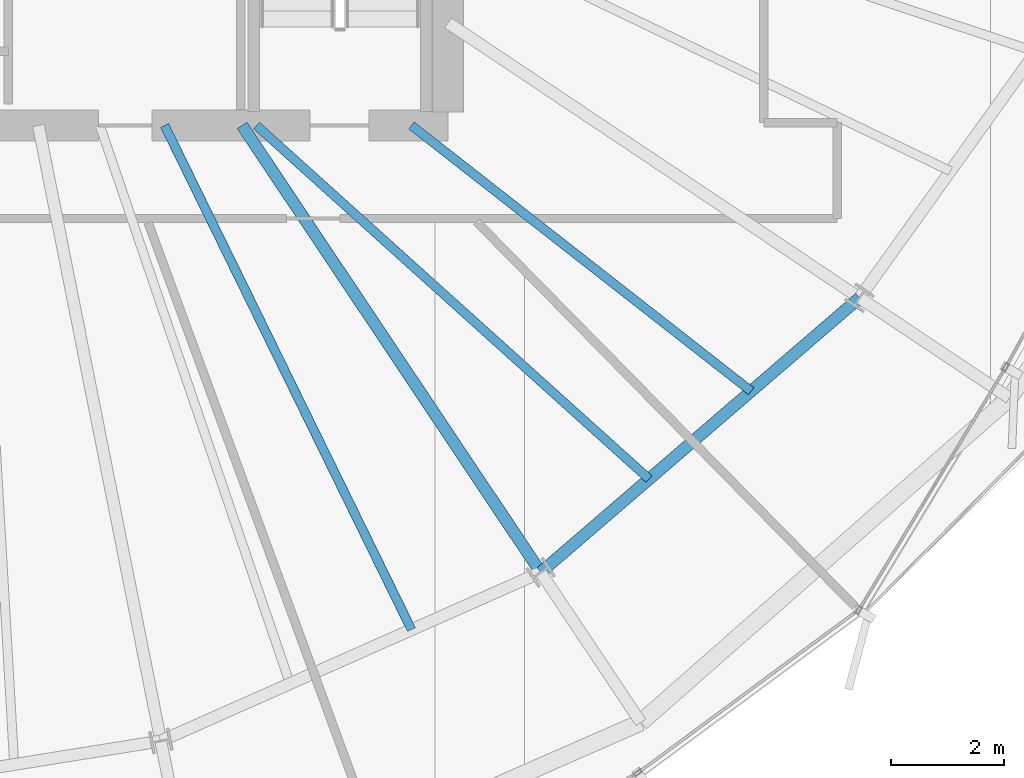
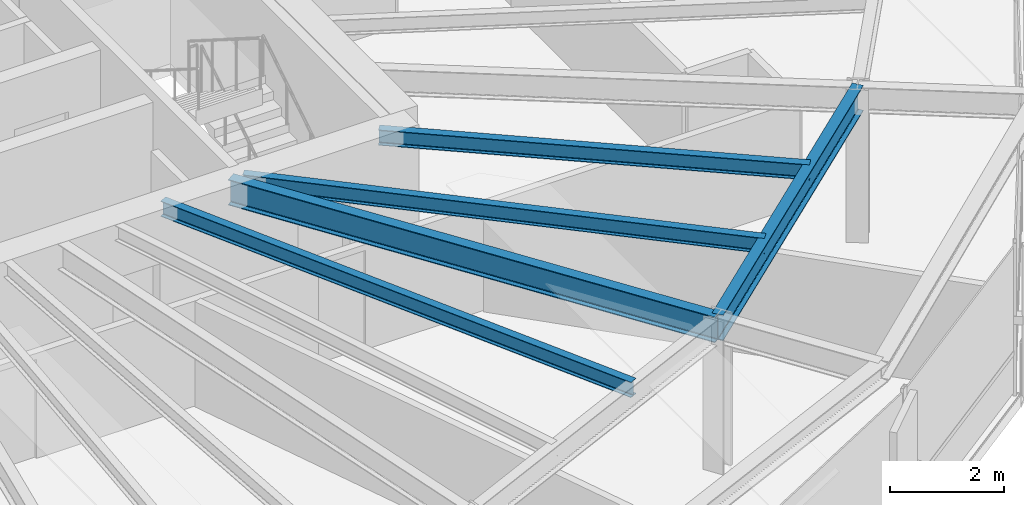
# One storey, part 14 of 36: 5 beams.
"""IFC4 building model written with IfcOpenShell, lengths in metres."""

from ifc_helpers import new_model, si_unit, direction, frame, origin, origin_2d, place, context, subcontext, project, spatial, i_section, extrude, source, transform, mapped, material, material_profile, profile_set, type_object, element, save


model = new_model("IFC4")

# Units and contexts
model_context = context("Model", 3, precision=1e-05, world=origin(), true_north=direction((0.0, 1.0)))
body_context = subcontext(model_context, "Body", "Model", "MODEL_VIEW")
ifc_project = project(units=[si_unit("LENGTHUNIT", "METRE"), si_unit("AREAUNIT", "SQUARE_METRE"), si_unit("VOLUMEUNIT", "CUBIC_METRE"), si_unit("PLANEANGLEUNIT", "RADIAN"), si_unit("MASSUNIT", "GRAM", prefix="KILO"), si_unit("THERMODYNAMICTEMPERATUREUNIT", "KELVIN")], contexts=[model_context])

# Site, building, storey
site_placement = place(None, origin())
site = spatial("IfcSite", under=ifc_project, at=site_placement, CompositionType="ELEMENT")
building_placement = place(site_placement, origin())
building = spatial("IfcBuilding", under=site, at=building_placement, Name="Kethvar Cultural Tower", CompositionType="ELEMENT")
storey_placement = place(building_placement, frame((0.0, 0.0, 164.300048828125)))
storey = spatial("IfcBuildingStorey", under=building, at=storey_placement, Name="L42", CompositionType="ELEMENT", Elevation=164.300048828125)

# Beams
ifc_material = material(Name="Steel S355J2", Category="steel")
ifc_material_profile_1 = material_profile(ifc_material, i_section(OverallWidth=0.2099609375, OverallDepth=0.550048828125, WebThickness=0.010986328125, FlangeThickness=0.01708984375, FilletRadius=0.02392578125, at=origin_2d()), Name="Steel S355J2 — IPE550")
ifc_profile_set_1 = profile_set([ifc_material_profile_1], Name="Steel S355J2 — IPE550")
beam_type_1 = type_object("IfcBeamType", Name="BM-IPE550", PredefinedType="BEAM", material=ifc_profile_set_1)
shared_shape_1 = source(origin(), body_context, "Body", "SweptSolid", [
    extrude(i_section(OverallWidth=0.2099609375, OverallDepth=0.550048828125, WebThickness=0.010986328125, FlangeThickness=0.01708984375, FilletRadius=0.02392578125, at=origin_2d()), origin(), (0.0, 0.0, 1.0), 9.534423828125),
])
beam_1_placement = place(storey_placement, frame((51.945068359375, 20.10009765625, 3.02294921875), z_axis=(0.555550817894, -0.831482584747, 0.0), x_axis=(0.831482584747, 0.555550817894, 0.0)))
element("IfcBeam", 1, at=beam_1_placement, inside=storey, type_object=beam_type_1, Name="L42 Primary Radial Beam RB-14", PredefinedType="BEAM", context=body_context, shape_type="MappedRepresentation", body=[
    mapped(shared_shape_1, transform((0.0, 0.0, 0.0), scale=1.0)),
])
ifc_material_profile_2 = material_profile(ifc_material, i_section(OverallWidth=0.159912109375, OverallDepth=0.330078125, WebThickness=0.007568359375, FlangeThickness=0.011474609375, FilletRadius=0.01806640625, at=origin_2d()), Name="Steel S355J2 — IPE330")
ifc_profile_set_2 = profile_set([ifc_material_profile_2], Name="Steel S355J2 — IPE330")
beam_type_2 = type_object("IfcBeamType", Name="BM-J330", PredefinedType="JOIST", material=ifc_profile_set_2)
shared_shape_2 = source(origin(), body_context, "Body", "SweptSolid", [
    extrude(i_section(OverallWidth=0.159912109375, OverallDepth=0.330078125, WebThickness=0.007568359375, FlangeThickness=0.011474609375, FilletRadius=0.01806640625, at=origin_2d()), origin(), (0.0, 0.0, 1.0), 9.959228515625),
])
beam_2_placement = place(storey_placement, frame((50.57080078125, 20.10009765625, 3.133056640625), z_axis=(0.439785134514, -0.898103020516, 0.0), x_axis=(0.898103020516, 0.439785134514, 0.0)))
element("IfcBeam", 2, at=beam_2_placement, inside=storey, type_object=beam_type_2, Name="L42 Composite Floor Joist J-13B", PredefinedType="JOIST", context=body_context, shape_type="MappedRepresentation", body=[
    mapped(shared_shape_2, transform((0.0, 0.0, 0.0), scale=1.0)),
])
shared_shape_3 = source(origin(), body_context, "Body", "SweptSolid", [
    extrude(i_section(OverallWidth=0.2099609375, OverallDepth=0.550048828125, WebThickness=0.010986328125, FlangeThickness=0.01708984375, FilletRadius=0.02392578125, at=origin_2d()), origin(), (0.0, 0.0, 1.0), 7.46484375),
])
beam_3_placement = place(storey_placement, frame((57.241943359375, 12.17236328125, 3.02294921875), z_axis=(0.757784075291, 0.652505398625, 0.0), x_axis=(-0.652505398625, 0.757784075291, 0.0)))
element("IfcBeam", 3, at=beam_3_placement, inside=storey, type_object=beam_type_1, Name="L42 Column Ring Tie Beam CR-14", PredefinedType="BEAM", context=body_context, shape_type="MappedRepresentation", body=[
    mapped(shared_shape_3, transform((0.0, 0.0, 0.0), scale=1.0)),
])
shared_shape_4 = source(origin(), body_context, "Body", "SweptSolid", [
    extrude(i_section(OverallWidth=0.159912109375, OverallDepth=0.330078125, WebThickness=0.007568359375, FlangeThickness=0.011474609375, FilletRadius=0.01806640625, at=origin_2d()), origin(), (0.0, 0.0, 1.0), 9.372802734375),
])
beam_4_placement = place(storey_placement, frame((52.199951171875, 20.10009765625, 3.133056640625), z_axis=(0.743151656479, -0.669123019685, 0.0), x_axis=(0.669123019685, 0.743151656479, 0.0)))
element("IfcBeam", 4, at=beam_4_placement, inside=storey, type_object=beam_type_2, Name="L42 Composite Floor Joist J-14A", PredefinedType="JOIST", context=body_context, shape_type="MappedRepresentation", body=[
    mapped(shared_shape_4, transform((0.0, 0.0, 0.0), scale=1.0)),
])
shared_shape_5 = source(origin(), body_context, "Body", "SweptSolid", [
    extrude(i_section(OverallWidth=0.159912109375, OverallDepth=0.330078125, WebThickness=0.007568359375, FlangeThickness=0.011474609375, FilletRadius=0.01806640625, at=origin_2d()), origin(), (0.0, 0.0, 1.0), 7.649658203125),
])
beam_5_placement = place(storey_placement, frame((54.949951171875, 20.10009765625, 3.133056640625), z_axis=(0.787671994752, -0.616094821179, 0.0), x_axis=(0.616094821179, 0.787671994752, 0.0)))
element("IfcBeam", 5, at=beam_5_placement, inside=storey, type_object=beam_type_2, Name="L42 Composite Floor Joist J-14B", PredefinedType="JOIST", context=body_context, shape_type="MappedRepresentation", body=[
    mapped(shared_shape_5, transform((0.0, 0.0, 0.0), scale=1.0)),
])

save(model, "model.ifc")
